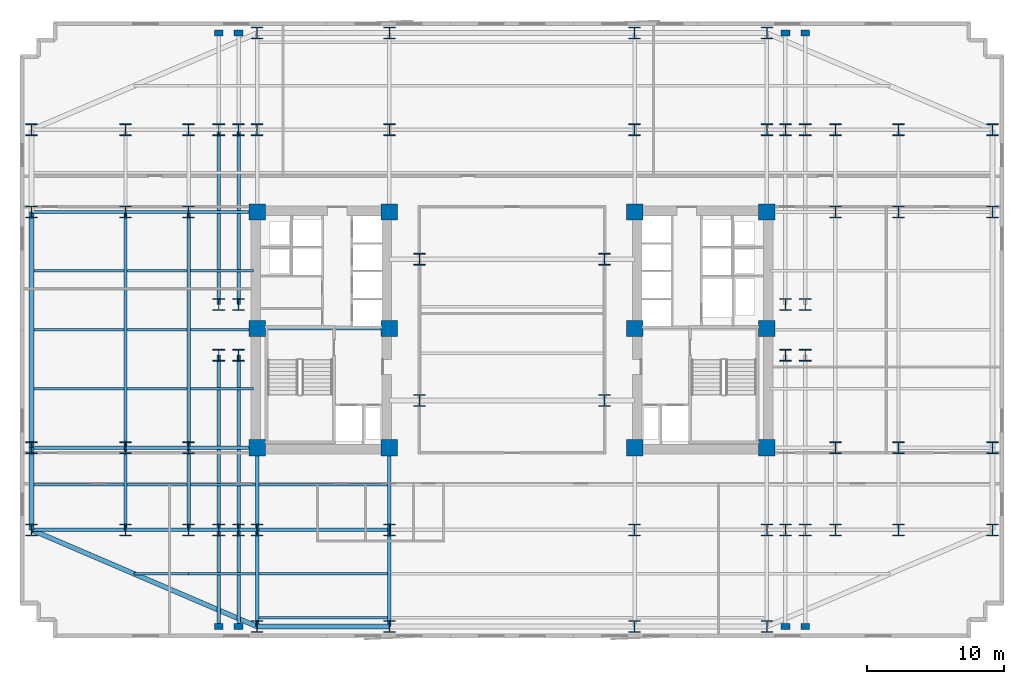
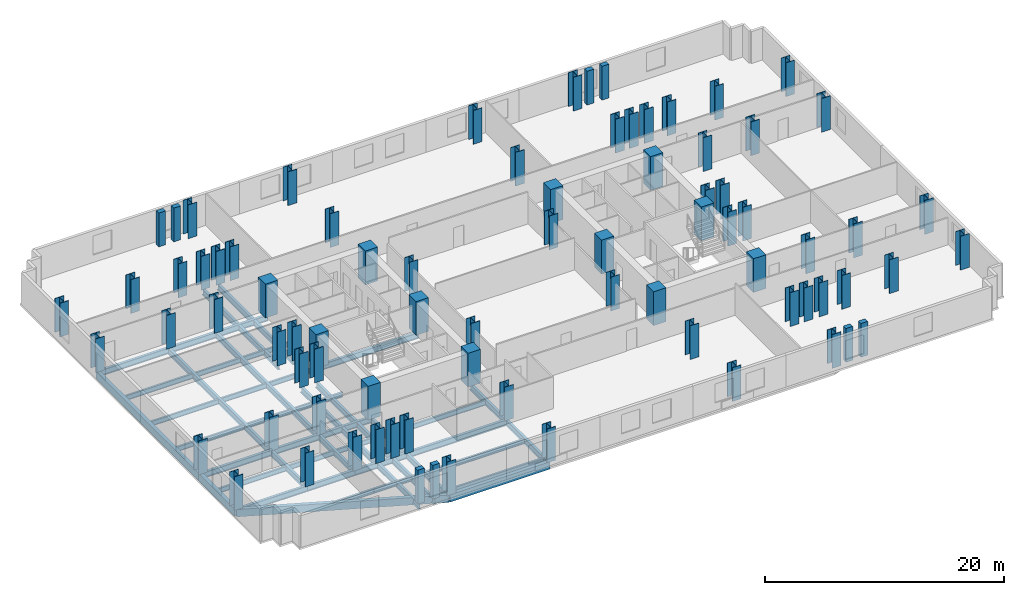
# One storey, part 1 of 10: 80 columns, 46 beams.
"""IFC4 building model written with IfcOpenShell, lengths in metres."""

from ifc_helpers import new_model, si_unit, direction, frame, origin, origin_2d, place, context, subcontext, project, spatial, rectangle, i_section, extrude, material, material_profile, profile_set, type_object, element, save


model = new_model("IFC4")

# Units and contexts
model_context = context("Model", 3, precision=1e-05, world=origin(), true_north=direction((0.0, 1.0)))
body_context = subcontext(model_context, "Body", "Model", "MODEL_VIEW")
ifc_project = project(units=[si_unit("LENGTHUNIT", "METRE"), si_unit("AREAUNIT", "SQUARE_METRE"), si_unit("VOLUMEUNIT", "CUBIC_METRE"), si_unit("PLANEANGLEUNIT", "RADIAN"), si_unit("MASSUNIT", "GRAM", prefix="KILO")], contexts=[model_context])

# Site, building, storey
site_placement = place(None, origin())
site = spatial("IfcSite", under=ifc_project, at=site_placement, CompositionType="ELEMENT")
building_placement = place(site_placement, origin())
building = spatial("IfcBuilding", under=site, at=building_placement, Name="Velakula Bourse", CompositionType="ELEMENT")
storey_placement = place(building_placement, frame((0.0, 0.0, 34.64990234375)))
storey = spatial("IfcBuildingStorey", under=building, at=storey_placement, Name="L08", CompositionType="ELEMENT", Elevation=34.64990234375)

# Columns
ifc_material_1 = material(Name="Concrete M70 (fck 70 MPa)", Category="concrete")
ifc_material_profile_1 = material_profile(ifc_material_1, rectangle(XDim=1.199951171875, YDim=1.199951171875, at=origin_2d()), Name="Concrete M70 (fck 70 MPa)")
ifc_profile_set_1 = profile_set([ifc_material_profile_1], Name="Concrete M70 (fck 70 MPa)")
column_type_1 = type_object("IfcColumnType", Name="COL-RC-1200", PredefinedType="COLUMN", material=ifc_profile_set_1)
for number, where, z_axis, x_axis, name in (
    (1, (-8.949951171875, -8.60009765625, 0.0), (0.0, 0.0, 1.0), (1.0, 0.0, 0.0), "L08 Core Boundary Column 01"),
    (2, (-8.949951171875, 0.10009765625, 0.0), (0.0, 0.0, 1.0), (1.0, 0.0, 0.0), "L08 Core Boundary Column 02"),
    (3, (-8.949951171875, 8.60009765625, 0.0), (0.0, 0.0, 1.0), (1.0, 0.0, 0.0), "L08 Core Boundary Column 03"),
    (4, (-18.60009765625, -8.60009765625, 0.0), (0.0, 0.0, 1.0), (1.0, 0.0, 0.0), "L08 Core Boundary Column 04"),
    (5, (-18.60009765625, 0.10009765625, 0.0), (0.0, 0.0, 1.0), (1.0, 0.0, 0.0), "L08 Core Boundary Column 05"),
    (6, (-18.60009765625, 8.60009765625, 0.0), (0.0, 0.0, 1.0), (1.0, 0.0, 0.0), "L08 Core Boundary Column 06"),
    (7, (8.949951171875, -8.60009765625, 0.0), (0.0, 0.0, 1.0), (1.0, 0.0, 0.0), "L08 Core Boundary Column 07"),
    (8, (8.949951171875, 0.10009765625, 0.0), (0.0, 0.0, 1.0), (1.0, 0.0, 0.0), "L08 Core Boundary Column 08"),
    (9, (8.949951171875, 8.60009765625, 0.0), (0.0, 0.0, 1.0), (1.0, 0.0, 0.0), "L08 Core Boundary Column 09"),
    (10, (18.60009765625, -8.60009765625, 0.0), (0.0, 0.0, 1.0), (1.0, 0.0, 0.0), "L08 Core Boundary Column 10"),
    (11, (18.60009765625, 0.10009765625, 0.0), (0.0, 0.0, 1.0), (1.0, 0.0, 0.0), "L08 Core Boundary Column 11"),
    (12, (18.60009765625, 8.60009765625, 0.0), (0.0, 0.0, 1.0), (1.0, 0.0, 0.0), "L08 Core Boundary Column 12"),
):
    element("IfcColumn", number, at=place(storey_placement, frame(where, z_axis=z_axis, x_axis=x_axis)), inside=storey, type_object=column_type_1, Name=name, PredefinedType="COLUMN", context=body_context, shape_type="SweptSolid", body=[
        extrude(rectangle(XDim=1.199951171875, YDim=1.199951171875, at=origin_2d()), origin(), (0.0, 0.0, 1.0), 3.4501953125),
    ])
ifc_material_2 = material(Name="Steel IS 2062 Grade 450 (E450)", Category="steel")
ifc_material_profile_2 = material_profile(ifc_material_2, i_section(OverallWidth=0.85009765625, OverallDepth=0.85009765625, WebThickness=0.031982421875, FlangeThickness=0.048095703125, at=origin_2d()), Name="Steel IS 2062 Grade 450 (E450)")
ifc_profile_set_2 = profile_set([ifc_material_profile_2], Name="Steel IS 2062 Grade 450 (E450)")
column_type_2 = type_object("IfcColumnType", Name="COL-STL-850", PredefinedType="COLUMN", material=ifc_profile_set_2)
for number, where, z_axis, x_axis, name in (
    (13, (-6.75, -5.14990234375, 0.0), (0.0, 0.0, 1.0), (1.0, 0.0, 0.0), "L08 Central Spine Column 01"),
    (14, (-6.75, 5.14990234375, 0.0), (0.0, 0.0, 1.0), (1.0, 0.0, 0.0), "L08 Central Spine Column 02"),
    (15, (6.75, -5.14990234375, 0.0), (0.0, 0.0, 1.0), (1.0, 0.0, 0.0), "L08 Central Spine Column 03"),
    (16, (6.75, 5.14990234375, 0.0), (0.0, 0.0, 1.0), (1.0, 0.0, 0.0), "L08 Central Spine Column 04"),
    (17, (-21.39990234375, -14.60009765625, 0.0), (0.0, 0.0, 1.0), (1.0, 0.0, 0.0), "L08 Tower Fulcrum Column 01"),
    (18, (-21.39990234375, 14.60009765625, 0.0), (0.0, 0.0, 1.0), (1.0, 0.0, 0.0), "L08 Tower Fulcrum Column 02"),
    (19, (-19.949951171875, -14.60009765625, 0.0), (0.0, 0.0, 1.0), (1.0, 0.0, 0.0), "L08 Tower Fulcrum Column 03"),
    (20, (-19.949951171875, 14.60009765625, 0.0), (0.0, 0.0, 1.0), (1.0, 0.0, 0.0), "L08 Tower Fulcrum Column 04"),
    (21, (-18.60009765625, -14.60009765625, 0.0), (0.0, 0.0, 1.0), (1.0, 0.0, 0.0), "L08 Tower Fulcrum Column 05"),
    (22, (-18.60009765625, 14.60009765625, 0.0), (0.0, 0.0, 1.0), (1.0, 0.0, 0.0), "L08 Tower Fulcrum Column 06"),
    (23, (-8.949951171875, -14.60009765625, 0.0), (0.0, 0.0, 1.0), (1.0, 0.0, 0.0), "L08 Tower Fulcrum Column 07"),
    (24, (-8.949951171875, 14.60009765625, 0.0), (0.0, 0.0, 1.0), (1.0, 0.0, 0.0), "L08 Tower Fulcrum Column 08"),
    (25, (8.949951171875, -14.60009765625, 0.0), (0.0, 0.0, 1.0), (1.0, 0.0, 0.0), "L08 Tower Fulcrum Column 09"),
    (26, (8.949951171875, 14.60009765625, 0.0), (0.0, 0.0, 1.0), (1.0, 0.0, 0.0), "L08 Tower Fulcrum Column 10"),
    (27, (18.60009765625, -14.60009765625, 0.0), (0.0, 0.0, 1.0), (1.0, 0.0, 0.0), "L08 Tower Fulcrum Column 11"),
    (28, (18.60009765625, 14.60009765625, 0.0), (0.0, 0.0, 1.0), (1.0, 0.0, 0.0), "L08 Tower Fulcrum Column 12"),
    (29, (19.949951171875, -14.60009765625, 0.0), (0.0, 0.0, 1.0), (1.0, 0.0, 0.0), "L08 Tower Fulcrum Column 13"),
    (30, (19.949951171875, 14.60009765625, 0.0), (0.0, 0.0, 1.0), (1.0, 0.0, 0.0), "L08 Tower Fulcrum Column 14"),
    (31, (21.39990234375, -14.60009765625, 0.0), (0.0, 0.0, 1.0), (1.0, 0.0, 0.0), "L08 Tower Fulcrum Column 15"),
    (32, (21.39990234375, 14.60009765625, 0.0), (0.0, 0.0, 1.0), (1.0, 0.0, 0.0), "L08 Tower Fulcrum Column 16"),
    (33, (-21.39990234375, -1.85009765625, 0.0), (0.0, 0.0, 1.0), (1.0, 0.0, 0.0), "L08 Tower Fulcrum Column 17"),
    (34, (-21.39990234375, 1.85009765625, 0.0), (0.0, 0.0, 1.0), (1.0, 0.0, 0.0), "L08 Tower Fulcrum Column 18"),
    (35, (-19.949951171875, -1.85009765625, 0.0), (0.0, 0.0, 1.0), (1.0, 0.0, 0.0), "L08 Tower Fulcrum Column 19"),
    (36, (-19.949951171875, 1.85009765625, 0.0), (0.0, 0.0, 1.0), (1.0, 0.0, 0.0), "L08 Tower Fulcrum Column 20"),
    (37, (19.949951171875, -1.85009765625, 0.0), (0.0, 0.0, 1.0), (1.0, 0.0, 0.0), "L08 Tower Fulcrum Column 21"),
    (38, (19.949951171875, 1.85009765625, 0.0), (0.0, 0.0, 1.0), (1.0, 0.0, 0.0), "L08 Tower Fulcrum Column 22"),
    (39, (21.39990234375, -1.85009765625, 0.0), (0.0, 0.0, 1.0), (1.0, 0.0, 0.0), "L08 Tower Fulcrum Column 23"),
    (40, (21.39990234375, 1.85009765625, 0.0), (0.0, 0.0, 1.0), (1.0, 0.0, 0.0), "L08 Tower Fulcrum Column 24"),
    (41, (-23.60009765625, -14.60009765625, 0.0), (0.0, 0.0, 1.0), (1.0, 0.0, 0.0), "L08 Mid-Wing Plumb Column 01"),
    (42, (-23.60009765625, -8.60009765625, 0.0), (0.0, 0.0, 1.0), (1.0, 0.0, 0.0), "L08 Mid-Wing Plumb Column 02"),
    (43, (-23.60009765625, 8.60009765625, 0.0), (0.0, 0.0, 1.0), (1.0, 0.0, 0.0), "L08 Mid-Wing Plumb Column 03"),
    (44, (-23.60009765625, 14.60009765625, 0.0), (0.0, 0.0, 1.0), (1.0, 0.0, 0.0), "L08 Mid-Wing Plumb Column 04"),
    (45, (23.60009765625, -14.60009765625, 0.0), (0.0, 0.0, 1.0), (1.0, 0.0, 0.0), "L08 Mid-Wing Plumb Column 05"),
    (46, (23.60009765625, -8.60009765625, 0.0), (0.0, 0.0, 1.0), (1.0, 0.0, 0.0), "L08 Mid-Wing Plumb Column 06"),
    (47, (23.60009765625, 8.60009765625, 0.0), (0.0, 0.0, 1.0), (1.0, 0.0, 0.0), "L08 Mid-Wing Plumb Column 07"),
    (48, (23.60009765625, 14.60009765625, 0.0), (0.0, 0.0, 1.0), (1.0, 0.0, 0.0), "L08 Mid-Wing Plumb Column 08"),
    (49, (-28.199951171875, -14.60009765625, 0.0), (0.0, 0.0, 1.0), (1.0, 0.0, 0.0), "L08 Lower Wing Column 01"),
    (50, (-28.199951171875, -8.60009765625, 0.0), (0.0, 0.0, 1.0), (1.0, 0.0, 0.0), "L08 Lower Wing Column 02"),
    (51, (-28.199951171875, 8.60009765625, 0.0), (0.0, 0.0, 1.0), (1.0, 0.0, 0.0), "L08 Lower Wing Column 03"),
    (52, (-28.199951171875, 14.60009765625, 0.0), (0.0, 0.0, 1.0), (1.0, 0.0, 0.0), "L08 Lower Wing Column 04"),
    (53, (28.199951171875, -14.60009765625, 0.0), (0.0, 0.0, 1.0), (1.0, 0.0, 0.0), "L08 Lower Wing Column 05"),
    (54, (28.199951171875, -8.60009765625, 0.0), (0.0, 0.0, 1.0), (1.0, 0.0, 0.0), "L08 Lower Wing Column 06"),
    (55, (28.199951171875, 8.60009765625, 0.0), (0.0, 0.0, 1.0), (1.0, 0.0, 0.0), "L08 Lower Wing Column 07"),
    (56, (28.199951171875, 14.60009765625, 0.0), (0.0, 0.0, 1.0), (1.0, 0.0, 0.0), "L08 Lower Wing Column 08"),
    (57, (-18.60009765625, -21.64990234375, 0.0), (0.0, 0.0, 1.0), (1.0, 0.0, 0.0), "L08 Block B1 Perimeter Column S1"),
    (58, (-8.949951171875, -21.64990234375, 0.0), (0.0, 0.0, 1.0), (1.0, 0.0, 0.0), "L08 Block B1 Perimeter Column S2"),
    (59, (8.949951171875, -21.64990234375, 0.0), (0.0, 0.0, 1.0), (1.0, 0.0, 0.0), "L08 Block B1 Perimeter Column S3"),
    (60, (18.60009765625, -21.64990234375, 0.0), (0.0, 0.0, 1.0), (1.0, 0.0, 0.0), "L08 Block B1 Perimeter Column S4"),
    (61, (-18.60009765625, 21.64990234375, 0.0), (0.0, 0.0, 1.0), (1.0, 0.0, 0.0), "L08 Block B1 Perimeter Column N1"),
    (62, (-8.949951171875, 21.64990234375, 0.0), (0.0, 0.0, 1.0), (1.0, 0.0, 0.0), "L08 Block B1 Perimeter Column N2"),
    (63, (8.949951171875, 21.64990234375, 0.0), (0.0, 0.0, 1.0), (1.0, 0.0, 0.0), "L08 Block B1 Perimeter Column N3"),
    (64, (18.60009765625, 21.64990234375, 0.0), (0.0, 0.0, 1.0), (1.0, 0.0, 0.0), "L08 Block B1 Perimeter Column N4"),
    (65, (-35.050048828125, -14.60009765625, 0.0), (0.0, 0.0, 1.0), (1.0, 0.0, 0.0), "L08 Block B1 Perimeter Column W1"),
    (66, (-35.050048828125, -8.60009765625, 0.0), (0.0, 0.0, 1.0), (1.0, 0.0, 0.0), "L08 Block B1 Perimeter Column W2"),
    (67, (-35.050048828125, 8.60009765625, 0.0), (0.0, 0.0, 1.0), (1.0, 0.0, 0.0), "L08 Block B1 Perimeter Column W3"),
    (68, (-35.050048828125, 14.60009765625, 0.0), (0.0, 0.0, 1.0), (1.0, 0.0, 0.0), "L08 Block B1 Perimeter Column W4"),
    (69, (35.050048828125, -14.60009765625, 0.0), (0.0, 0.0, 1.0), (1.0, 0.0, 0.0), "L08 Block B1 Perimeter Column E1"),
    (70, (35.050048828125, -8.60009765625, 0.0), (0.0, 0.0, 1.0), (1.0, 0.0, 0.0), "L08 Block B1 Perimeter Column E2"),
    (71, (35.050048828125, 8.60009765625, 0.0), (0.0, 0.0, 1.0), (1.0, 0.0, 0.0), "L08 Block B1 Perimeter Column E3"),
    (72, (35.050048828125, 14.60009765625, 0.0), (0.0, 0.0, 1.0), (1.0, 0.0, 0.0), "L08 Block B1 Perimeter Column E4"),
):
    element("IfcColumn", number, at=place(storey_placement, frame(where, z_axis=z_axis, x_axis=x_axis)), inside=storey, type_object=column_type_2, Name=name, PredefinedType="COLUMN", context=body_context, shape_type="SweptSolid", body=[
        extrude(i_section(OverallWidth=0.85009765625, OverallDepth=0.85009765625, WebThickness=0.031982421875, FlangeThickness=0.048095703125, at=origin_2d()), origin(), (0.0, 0.0, 1.0), 3.4501953125),
    ])
ifc_material_3 = material(Name="Precast concrete M45 (fck 45 MPa)", Category="concrete")
ifc_material_profile_3 = material_profile(ifc_material_3, rectangle(XDim=0.64990234375, YDim=0.449951171875, at=origin_2d()), Name="Precast concrete M45 (fck 45 MPa)")
ifc_profile_set_3 = profile_set([ifc_material_profile_3], Name="Precast concrete M45 (fck 45 MPa)")
column_type_3 = type_object("IfcColumnType", Name="PIL-BRICK-650", PredefinedType="PILASTER", material=ifc_profile_set_3)
for number, where, z_axis, x_axis, name in (
    (73, (-21.39990234375, -21.64990234375, 0.0), (0.0, 0.0, 1.0), (1.0, 0.0, 0.0), "L08 Brick Pier Pilaster 01"),
    (74, (-19.949951171875, -21.64990234375, 0.0), (0.0, 0.0, 1.0), (1.0, 0.0, 0.0), "L08 Brick Pier Pilaster 02"),
    (75, (19.949951171875, -21.64990234375, 0.0), (0.0, 0.0, 1.0), (1.0, 0.0, 0.0), "L08 Brick Pier Pilaster 03"),
    (76, (21.39990234375, -21.64990234375, 0.0), (0.0, 0.0, 1.0), (1.0, 0.0, 0.0), "L08 Brick Pier Pilaster 04"),
    (77, (-21.39990234375, 21.64990234375, 0.0), (0.0, 0.0, 1.0), (1.0, 0.0, 0.0), "L08 Brick Pier Pilaster 05"),
    (78, (-19.949951171875, 21.64990234375, 0.0), (0.0, 0.0, 1.0), (1.0, 0.0, 0.0), "L08 Brick Pier Pilaster 06"),
    (79, (19.949951171875, 21.64990234375, 0.0), (0.0, 0.0, 1.0), (1.0, 0.0, 0.0), "L08 Brick Pier Pilaster 07"),
    (80, (21.39990234375, 21.64990234375, 0.0), (0.0, 0.0, 1.0), (1.0, 0.0, 0.0), "L08 Brick Pier Pilaster 08"),
):
    element("IfcColumn", number, at=place(storey_placement, frame(where, z_axis=z_axis, x_axis=x_axis)), inside=storey, type_object=column_type_3, Name=name, PredefinedType="PILASTER", context=body_context, shape_type="SweptSolid", body=[
        extrude(rectangle(XDim=0.64990234375, YDim=0.449951171875, at=origin_2d()), origin(), (0.0, 0.0, 1.0), 3.4501953125),
    ])

# Beams
ifc_material_4 = material(Name="Steel IS 2062 Grade 350 (E350)", Category="steel")
ifc_material_profile_4 = material_profile(ifc_material_4, i_section(OverallWidth=0.25, OverallDepth=0.60009765625, WebThickness=0.01171875, FlangeThickness=0.023681640625, at=origin_2d()), Name="Steel IS 2062 Grade 350 (E350)")
ifc_profile_set_4 = profile_set([ifc_material_profile_4], Name="Steel IS 2062 Grade 350 (E350)")
beam_type_1 = type_object("IfcBeamType", Name="BM-GRD-600H", PredefinedType="BEAM", material=ifc_profile_set_4)
beam_1_placement = place(storey_placement, frame((-18.60009765625, 0.10009765625, -0.47998046875), z_axis=(1.0, 0.0, 0.0), x_axis=(0.0, 1.0, 0.0)))
element("IfcBeam", 81, at=beam_1_placement, inside=storey, type_object=beam_type_1, Name="L08 Primary Backbone Girder CRW-M", PredefinedType="BEAM", context=body_context, shape_type="SweptSolid", body=[
    extrude(i_section(OverallWidth=0.25, OverallDepth=0.60009765625, WebThickness=0.01171875, FlangeThickness=0.023681640625, at=origin_2d()), origin(), (0.0, 0.0, 1.0), 9.650146484375),
])
for number, where, z_axis, x_axis, name in (
    (82, (-18.60009765625, -14.60009765625, -0.47998046875), (0.0, 1.0, 0.0), (-1.0, 0.0, 0.0), "L08 Fulcrum Grid Girder FLC-WS"),
    (83, (-8.949951171875, -14.60009765625, -0.47998046875), (0.0, 1.0, 0.0), (-1.0, 0.0, 0.0), "L08 Fulcrum Grid Girder FLC-WCS"),
):
    element("IfcBeam", number, at=place(storey_placement, frame(where, z_axis=z_axis, x_axis=x_axis)), inside=storey, type_object=beam_type_1, Name=name, PredefinedType="BEAM", context=body_context, shape_type="SweptSolid", body=[
        extrude(i_section(OverallWidth=0.25, OverallDepth=0.60009765625, WebThickness=0.01171875, FlangeThickness=0.023681640625, at=origin_2d()), origin(), (0.0, 0.0, 1.0), 6.0),
    ])
beam_2_placement = place(storey_placement, frame((-18.60009765625, -14.60009765625, -0.47998046875), z_axis=(1.0, 0.0, 0.0), x_axis=(0.0, 1.0, 0.0)))
element("IfcBeam", 84, at=beam_2_placement, inside=storey, type_object=beam_type_1, Name="L08 Fulcrum Grid Girder FLC-S1", PredefinedType="BEAM", context=body_context, shape_type="SweptSolid", body=[
    extrude(i_section(OverallWidth=0.25, OverallDepth=0.60009765625, WebThickness=0.01171875, FlangeThickness=0.023681640625, at=origin_2d()), origin(), (0.0, 0.0, 1.0), 9.650146484375),
])
for number, where, z_axis, x_axis, name in (
    (85, (-21.39990234375, -14.60009765625, -0.47998046875), (0.0, 1.0, 0.0), (-1.0, 0.0, 0.0), "L08 Fulcrum Grid Girder FLC-PSW1"),
    (86, (-21.39990234375, 1.85009765625, -0.47998046875), (0.0, 1.0, 0.0), (-1.0, 0.0, 0.0), "L08 Fulcrum Grid Girder FLC-PNW1"),
    (87, (-19.949951171875, -14.60009765625, -0.47998046875), (0.0, 1.0, 0.0), (-1.0, 0.0, 0.0), "L08 Fulcrum Grid Girder FLC-PSW2"),
    (88, (-19.949951171875, 1.85009765625, -0.47998046875), (0.0, 1.0, 0.0), (-1.0, 0.0, 0.0), "L08 Fulcrum Grid Girder FLC-PNW2"),
):
    element("IfcBeam", number, at=place(storey_placement, frame(where, z_axis=z_axis, x_axis=x_axis)), inside=storey, type_object=beam_type_1, Name=name, PredefinedType="BEAM", context=body_context, shape_type="SweptSolid", body=[
        extrude(i_section(OverallWidth=0.25, OverallDepth=0.60009765625, WebThickness=0.01171875, FlangeThickness=0.023681640625, at=origin_2d()), origin(), (0.0, 0.0, 1.0), 12.75),
    ])
for number, where, z_axis, x_axis, name in (
    (89, (-23.60009765625, -14.60009765625, -0.47998046875), (1.0, 0.0, 0.0), (0.0, 1.0, 0.0), "L08 Fulcrum Grid Girder MWG-WS1"),
    (90, (-23.60009765625, -8.60009765625, -0.47998046875), (1.0, 0.0, 0.0), (0.0, 1.0, 0.0), "L08 Fulcrum Grid Girder MWG-WS2"),
    (91, (-23.60009765625, 8.60009765625, -0.47998046875), (1.0, 0.0, 0.0), (0.0, 1.0, 0.0), "L08 Fulcrum Grid Girder MWG-WN1"),
):
    element("IfcBeam", number, at=place(storey_placement, frame(where, z_axis=z_axis, x_axis=x_axis)), inside=storey, type_object=beam_type_1, Name=name, PredefinedType="BEAM", context=body_context, shape_type="SweptSolid", body=[
        extrude(i_section(OverallWidth=0.25, OverallDepth=0.60009765625, WebThickness=0.01171875, FlangeThickness=0.023681640625, at=origin_2d()), origin(), (0.0, 0.0, 1.0), 5.0),
    ])
beam_3_placement = place(storey_placement, frame((-23.60009765625, -14.60009765625, -0.47998046875), z_axis=(0.0, 1.0, 0.0), x_axis=(-1.0, 0.0, 0.0)))
element("IfcBeam", 92, at=beam_3_placement, inside=storey, type_object=beam_type_1, Name="L08 Fulcrum Grid Girder MWG-WNS1", PredefinedType="BEAM", context=body_context, shape_type="SweptSolid", body=[
    extrude(i_section(OverallWidth=0.25, OverallDepth=0.60009765625, WebThickness=0.01171875, FlangeThickness=0.023681640625, at=origin_2d()), origin(), (0.0, 0.0, 1.0), 6.0),
])
beam_4_placement = place(storey_placement, frame((-23.60009765625, -8.60009765625, -0.47998046875), z_axis=(0.0, 1.0, 0.0), x_axis=(-1.0, 0.0, 0.0)))
element("IfcBeam", 93, at=beam_4_placement, inside=storey, type_object=beam_type_1, Name="L08 Fulcrum Grid Girder MWG-WNS2", PredefinedType="BEAM", context=body_context, shape_type="SweptSolid", body=[
    extrude(i_section(OverallWidth=0.25, OverallDepth=0.60009765625, WebThickness=0.01171875, FlangeThickness=0.023681640625, at=origin_2d()), origin(), (0.0, 0.0, 1.0), 17.2001953125),
])
for number, where, z_axis, x_axis, name in (
    (94, (-28.199951171875, -14.60009765625, -0.47998046875), (1.0, 0.0, 0.0), (0.0, 1.0, 0.0), "L08 Fulcrum Grid Girder WNG-WS1"),
    (95, (-28.199951171875, -8.60009765625, -0.47998046875), (1.0, 0.0, 0.0), (0.0, 1.0, 0.0), "L08 Fulcrum Grid Girder WNG-WS2"),
    (96, (-28.199951171875, 8.60009765625, -0.47998046875), (1.0, 0.0, 0.0), (0.0, 1.0, 0.0), "L08 Fulcrum Grid Girder WNG-WN1"),
):
    element("IfcBeam", number, at=place(storey_placement, frame(where, z_axis=z_axis, x_axis=x_axis)), inside=storey, type_object=beam_type_1, Name=name, PredefinedType="BEAM", context=body_context, shape_type="SweptSolid", body=[
        extrude(i_section(OverallWidth=0.25, OverallDepth=0.60009765625, WebThickness=0.01171875, FlangeThickness=0.023681640625, at=origin_2d()), origin(), (0.0, 0.0, 1.0), 4.599853515625),
    ])
beam_5_placement = place(storey_placement, frame((-28.199951171875, -14.60009765625, -0.47998046875), z_axis=(0.0, 1.0, 0.0), x_axis=(-1.0, 0.0, 0.0)))
element("IfcBeam", 97, at=beam_5_placement, inside=storey, type_object=beam_type_1, Name="L08 Fulcrum Grid Girder WNG-WNS1", PredefinedType="BEAM", context=body_context, shape_type="SweptSolid", body=[
    extrude(i_section(OverallWidth=0.25, OverallDepth=0.60009765625, WebThickness=0.01171875, FlangeThickness=0.023681640625, at=origin_2d()), origin(), (0.0, 0.0, 1.0), 6.0),
])
beam_6_placement = place(storey_placement, frame((-28.199951171875, -8.60009765625, -0.47998046875), z_axis=(0.0, 1.0, 0.0), x_axis=(-1.0, 0.0, 0.0)))
element("IfcBeam", 98, at=beam_6_placement, inside=storey, type_object=beam_type_1, Name="L08 Fulcrum Grid Girder WNG-WNS2", PredefinedType="BEAM", context=body_context, shape_type="SweptSolid", body=[
    extrude(i_section(OverallWidth=0.25, OverallDepth=0.60009765625, WebThickness=0.01171875, FlangeThickness=0.023681640625, at=origin_2d()), origin(), (0.0, 0.0, 1.0), 17.2001953125),
])
for number, where, z_axis, x_axis, name in (
    (99, (-18.60009765625, -14.60009765625, -0.47998046875), (0.0, -1.0, 0.0), (1.0, 0.0, 0.0), "L08 Perimeter Tie Girder S1"),
    (100, (-8.949951171875, -14.60009765625, -0.47998046875), (0.0, -1.0, 0.0), (1.0, 0.0, 0.0), "L08 Perimeter Tie Girder S2"),
):
    element("IfcBeam", number, at=place(storey_placement, frame(where, z_axis=z_axis, x_axis=x_axis)), inside=storey, type_object=beam_type_1, Name=name, PredefinedType="BEAM", context=body_context, shape_type="SweptSolid", body=[
        extrude(i_section(OverallWidth=0.25, OverallDepth=0.60009765625, WebThickness=0.01171875, FlangeThickness=0.023681640625, at=origin_2d()), origin(), (0.0, 0.0, 1.0), 7.0498046875),
    ])
for number, where, z_axis, x_axis, name in (
    (101, (-28.199951171875, -14.60009765625, -0.47998046875), (-1.0, 0.0, 0.0), (0.0, -1.0, 0.0), "L08 Perimeter Tie Girder W1"),
    (102, (-28.199951171875, -8.60009765625, -0.47998046875), (-1.0, 0.0, 0.0), (0.0, -1.0, 0.0), "L08 Perimeter Tie Girder W2"),
    (103, (-28.199951171875, 8.60009765625, -0.47998046875), (-1.0, 0.0, 0.0), (0.0, -1.0, 0.0), "L08 Perimeter Tie Girder W3"),
):
    element("IfcBeam", number, at=place(storey_placement, frame(where, z_axis=z_axis, x_axis=x_axis)), inside=storey, type_object=beam_type_1, Name=name, PredefinedType="BEAM", context=body_context, shape_type="SweptSolid", body=[
        extrude(i_section(OverallWidth=0.25, OverallDepth=0.60009765625, WebThickness=0.01171875, FlangeThickness=0.023681640625, at=origin_2d()), origin(), (0.0, 0.0, 1.0), 6.85009765625),
    ])
for number, where, z_axis, x_axis, name in (
    (104, (-21.39990234375, -14.60009765625, -0.47998046875), (0.0, -1.0, 0.0), (1.0, 0.0, 0.0), "L08 Perimeter Tie Girder P01"),
    (105, (-19.949951171875, -14.60009765625, -0.47998046875), (0.0, -1.0, 0.0), (1.0, 0.0, 0.0), "L08 Perimeter Tie Girder P02"),
):
    element("IfcBeam", number, at=place(storey_placement, frame(where, z_axis=z_axis, x_axis=x_axis)), inside=storey, type_object=beam_type_1, Name=name, PredefinedType="BEAM", context=body_context, shape_type="SweptSolid", body=[
        extrude(i_section(OverallWidth=0.25, OverallDepth=0.60009765625, WebThickness=0.01171875, FlangeThickness=0.023681640625, at=origin_2d()), origin(), (0.0, 0.0, 1.0), 7.0498046875),
    ])
ifc_material_profile_5 = material_profile(ifc_material_4, i_section(OverallWidth=0.179931640625, OverallDepth=0.5, WebThickness=0.01025390625, FlangeThickness=0.01708984375, at=origin_2d()), Name="Steel IS 2062 Grade 350 (E350)")
ifc_profile_set_5 = profile_set([ifc_material_profile_5], Name="Steel IS 2062 Grade 350 (E350)")
beam_type_2 = type_object("IfcBeamType", Name="JST-TWR-500", PredefinedType="JOIST", material=ifc_profile_set_5)
beam_7_placement = place(storey_placement, frame((-18.47509765625, -21.0, -0.429931640625), z_axis=(1.0, 0.0, 0.0), x_axis=(0.0, 1.0, 0.0)))
element("IfcBeam", 106, at=beam_7_placement, inside=storey, type_object=beam_type_2, Name="L08 Trading Floor Composite Joist 01", PredefinedType="JOIST", context=body_context, shape_type="SweptSolid", body=[
    extrude(i_section(OverallWidth=0.179931640625, OverallDepth=0.5, WebThickness=0.01025390625, FlangeThickness=0.01708984375, at=origin_2d()), origin(), (0.0, 0.0, 1.0), 9.400146484375),
])
beam_8_placement = place(storey_placement, frame((-27.583251953125, -17.800048828125, -0.429931640625), z_axis=(1.0, 0.0, 0.0), x_axis=(0.0, 1.0, 0.0)))
element("IfcBeam", 107, at=beam_8_placement, inside=storey, type_object=beam_type_2, Name="L08 Trading Floor Composite Joist 04", PredefinedType="JOIST", context=body_context, shape_type="SweptSolid", body=[
    extrude(i_section(OverallWidth=0.179931640625, OverallDepth=0.5, WebThickness=0.01025390625, FlangeThickness=0.01708984375, at=origin_2d()), origin(), (0.0, 0.0, 1.0), 3.983154296875),
])
beam_9_placement = place(storey_placement, frame((-23.60009765625, -17.800048828125, -0.429931640625), z_axis=(1.0, 0.0, 0.0), x_axis=(0.0, 1.0, 0.0)))
element("IfcBeam", 108, at=beam_9_placement, inside=storey, type_object=beam_type_2, Name="L08 Trading Floor Composite Joist 05", PredefinedType="JOIST", context=body_context, shape_type="SweptSolid", body=[
    extrude(i_section(OverallWidth=0.179931640625, OverallDepth=0.5, WebThickness=0.01025390625, FlangeThickness=0.01708984375, at=origin_2d()), origin(), (0.0, 0.0, 1.0), 4.875),
])
beam_10_placement = place(storey_placement, frame((-18.47509765625, -17.800048828125, -0.429931640625), z_axis=(1.0, 0.0, 0.0), x_axis=(0.0, 1.0, 0.0)))
element("IfcBeam", 109, at=beam_10_placement, inside=storey, type_object=beam_type_2, Name="L08 Trading Floor Composite Joist 06", PredefinedType="JOIST", context=body_context, shape_type="SweptSolid", body=[
    extrude(i_section(OverallWidth=0.179931640625, OverallDepth=0.5, WebThickness=0.01025390625, FlangeThickness=0.01708984375, at=origin_2d()), origin(), (0.0, 0.0, 1.0), 9.400146484375),
])
beam_11_placement = place(storey_placement, frame((-34.875, -11.300048828125, -0.429931640625), z_axis=(1.0, 0.0, 0.0), x_axis=(0.0, 1.0, 0.0)))
element("IfcBeam", 110, at=beam_11_placement, inside=storey, type_object=beam_type_2, Name="L08 Trading Floor Composite Joist 11", PredefinedType="JOIST", context=body_context, shape_type="SweptSolid", body=[
    extrude(i_section(OverallWidth=0.179931640625, OverallDepth=0.5, WebThickness=0.01025390625, FlangeThickness=0.01708984375, at=origin_2d()), origin(), (0.0, 0.0, 1.0), 6.550048828125),
])
beam_12_placement = place(storey_placement, frame((-28.074951171875, -11.300048828125, -0.429931640625), z_axis=(1.0, 0.0, 0.0), x_axis=(0.0, 1.0, 0.0)))
element("IfcBeam", 111, at=beam_12_placement, inside=storey, type_object=beam_type_2, Name="L08 Trading Floor Composite Joist 12", PredefinedType="JOIST", context=body_context, shape_type="SweptSolid", body=[
    extrude(i_section(OverallWidth=0.179931640625, OverallDepth=0.5, WebThickness=0.01025390625, FlangeThickness=0.01708984375, at=origin_2d()), origin(), (0.0, 0.0, 1.0), 4.349853515625),
])
beam_13_placement = place(storey_placement, frame((-23.47509765625, -11.300048828125, -0.429931640625), z_axis=(1.0, 0.0, 0.0), x_axis=(0.0, 1.0, 0.0)))
element("IfcBeam", 112, at=beam_13_placement, inside=storey, type_object=beam_type_2, Name="L08 Trading Floor Composite Joist 13", PredefinedType="JOIST", context=body_context, shape_type="SweptSolid", body=[
    extrude(i_section(OverallWidth=0.179931640625, OverallDepth=0.5, WebThickness=0.01025390625, FlangeThickness=0.01708984375, at=origin_2d()), origin(), (0.0, 0.0, 1.0), 4.75),
])
beam_14_placement = place(storey_placement, frame((-18.47509765625, -11.300048828125, -0.429931640625), z_axis=(1.0, 0.0, 0.0), x_axis=(0.0, 1.0, 0.0)))
element("IfcBeam", 113, at=beam_14_placement, inside=storey, type_object=beam_type_2, Name="L08 Trading Floor Composite Joist 14", PredefinedType="JOIST", context=body_context, shape_type="SweptSolid", body=[
    extrude(i_section(OverallWidth=0.179931640625, OverallDepth=0.5, WebThickness=0.01025390625, FlangeThickness=0.01708984375, at=origin_2d()), origin(), (0.0, 0.0, 1.0), 9.400146484375),
])
beam_15_placement = place(storey_placement, frame((-34.875, -4.300048828125, -0.429931640625), z_axis=(1.0, 0.0, 0.0), x_axis=(0.0, 1.0, 0.0)))
element("IfcBeam", 114, at=beam_15_placement, inside=storey, type_object=beam_type_2, Name="L08 Trading Floor Composite Joist 41", PredefinedType="JOIST", context=body_context, shape_type="SweptSolid", body=[
    extrude(i_section(OverallWidth=0.179931640625, OverallDepth=0.5, WebThickness=0.01025390625, FlangeThickness=0.01708984375, at=origin_2d()), origin(), (0.0, 0.0, 1.0), 6.550048828125),
])
beam_16_placement = place(storey_placement, frame((-28.074951171875, -4.300048828125, -0.429931640625), z_axis=(1.0, 0.0, 0.0), x_axis=(0.0, 1.0, 0.0)))
element("IfcBeam", 115, at=beam_16_placement, inside=storey, type_object=beam_type_2, Name="L08 Trading Floor Composite Joist 42", PredefinedType="JOIST", context=body_context, shape_type="SweptSolid", body=[
    extrude(i_section(OverallWidth=0.179931640625, OverallDepth=0.5, WebThickness=0.01025390625, FlangeThickness=0.01708984375, at=origin_2d()), origin(), (0.0, 0.0, 1.0), 4.349853515625),
])
beam_17_placement = place(storey_placement, frame((-23.47509765625, -4.300048828125, -0.429931640625), z_axis=(1.0, 0.0, 0.0), x_axis=(0.0, 1.0, 0.0)))
element("IfcBeam", 116, at=beam_17_placement, inside=storey, type_object=beam_type_2, Name="L08 Trading Floor Composite Joist 43", PredefinedType="JOIST", context=body_context, shape_type="SweptSolid", body=[
    extrude(i_section(OverallWidth=0.179931640625, OverallDepth=0.5, WebThickness=0.01025390625, FlangeThickness=0.01708984375, at=origin_2d()), origin(), (0.0, 0.0, 1.0), 4.625),
])
beam_18_placement = place(storey_placement, frame((-34.875, 0.0, -0.429931640625), z_axis=(1.0, 0.0, 0.0), x_axis=(0.0, 1.0, 0.0)))
element("IfcBeam", 117, at=beam_18_placement, inside=storey, type_object=beam_type_2, Name="L08 Trading Floor Composite Joist 47", PredefinedType="JOIST", context=body_context, shape_type="SweptSolid", body=[
    extrude(i_section(OverallWidth=0.179931640625, OverallDepth=0.5, WebThickness=0.01025390625, FlangeThickness=0.01708984375, at=origin_2d()), origin(), (0.0, 0.0, 1.0), 6.550048828125),
])
beam_19_placement = place(storey_placement, frame((-28.074951171875, 0.0, -0.429931640625), z_axis=(1.0, 0.0, 0.0), x_axis=(0.0, 1.0, 0.0)))
element("IfcBeam", 118, at=beam_19_placement, inside=storey, type_object=beam_type_2, Name="L08 Trading Floor Composite Joist 48", PredefinedType="JOIST", context=body_context, shape_type="SweptSolid", body=[
    extrude(i_section(OverallWidth=0.179931640625, OverallDepth=0.5, WebThickness=0.01025390625, FlangeThickness=0.01708984375, at=origin_2d()), origin(), (0.0, 0.0, 1.0), 4.349853515625),
])
beam_20_placement = place(storey_placement, frame((-23.47509765625, 0.0, -0.429931640625), z_axis=(1.0, 0.0, 0.0), x_axis=(0.0, 1.0, 0.0)))
element("IfcBeam", 119, at=beam_20_placement, inside=storey, type_object=beam_type_2, Name="L08 Trading Floor Composite Joist 49", PredefinedType="JOIST", context=body_context, shape_type="SweptSolid", body=[
    extrude(i_section(OverallWidth=0.179931640625, OverallDepth=0.5, WebThickness=0.01025390625, FlangeThickness=0.01708984375, at=origin_2d()), origin(), (0.0, 0.0, 1.0), 4.625),
])
beam_21_placement = place(storey_placement, frame((-34.875, 4.300048828125, -0.429931640625), z_axis=(1.0, 0.0, 0.0), x_axis=(0.0, 1.0, 0.0)))
element("IfcBeam", 120, at=beam_21_placement, inside=storey, type_object=beam_type_2, Name="L08 Trading Floor Composite Joist 53", PredefinedType="JOIST", context=body_context, shape_type="SweptSolid", body=[
    extrude(i_section(OverallWidth=0.179931640625, OverallDepth=0.5, WebThickness=0.01025390625, FlangeThickness=0.01708984375, at=origin_2d()), origin(), (0.0, 0.0, 1.0), 6.550048828125),
])
beam_22_placement = place(storey_placement, frame((-28.074951171875, 4.300048828125, -0.429931640625), z_axis=(1.0, 0.0, 0.0), x_axis=(0.0, 1.0, 0.0)))
element("IfcBeam", 121, at=beam_22_placement, inside=storey, type_object=beam_type_2, Name="L08 Trading Floor Composite Joist 54", PredefinedType="JOIST", context=body_context, shape_type="SweptSolid", body=[
    extrude(i_section(OverallWidth=0.179931640625, OverallDepth=0.5, WebThickness=0.01025390625, FlangeThickness=0.01708984375, at=origin_2d()), origin(), (0.0, 0.0, 1.0), 4.349853515625),
])
beam_23_placement = place(storey_placement, frame((-23.47509765625, 4.300048828125, -0.429931640625), z_axis=(1.0, 0.0, 0.0), x_axis=(0.0, 1.0, 0.0)))
element("IfcBeam", 122, at=beam_23_placement, inside=storey, type_object=beam_type_2, Name="L08 Trading Floor Composite Joist 55", PredefinedType="JOIST", context=body_context, shape_type="SweptSolid", body=[
    extrude(i_section(OverallWidth=0.179931640625, OverallDepth=0.5, WebThickness=0.01025390625, FlangeThickness=0.01708984375, at=origin_2d()), origin(), (0.0, 0.0, 1.0), 4.625),
])
ifc_material_profile_6 = material_profile(ifc_material_3, rectangle(XDim=0.35009765625, YDim=0.75, at=origin_2d()), Name="Precast concrete M45 (fck 45 MPa)")
ifc_profile_set_6 = profile_set([ifc_material_profile_6], Name="Precast concrete M45 (fck 45 MPa)")
beam_type_3 = type_object("IfcBeamType", Name="SPN-BRICK-750", PredefinedType="SPANDREL", material=ifc_profile_set_6)
beam_24_placement = place(storey_placement, frame((-18.60009765625, -21.64990234375, -0.554931640625), z_axis=(1.0, 0.0, 0.0), x_axis=(0.0, 1.0, 0.0)))
element("IfcBeam", 123, at=beam_24_placement, inside=storey, type_object=beam_type_3, Name="L08 Brick-Faced Precast Spandrel S1-S2", PredefinedType="SPANDREL", context=body_context, shape_type="SweptSolid", body=[
    extrude(rectangle(XDim=0.35009765625, YDim=0.75, at=origin_2d()), origin(), (0.0, 0.0, 1.0), 9.650146484375),
])
beam_25_placement = place(storey_placement, frame((-35.050048828125, -14.60009765625, -0.554931640625), z_axis=(0.0, 1.0, 0.0), x_axis=(-1.0, 0.0, 0.0)))
element("IfcBeam", 124, at=beam_25_placement, inside=storey, type_object=beam_type_3, Name="L08 Brick-Faced Precast Spandrel W1-W2", PredefinedType="SPANDREL", context=body_context, shape_type="SweptSolid", body=[
    extrude(rectangle(XDim=0.35009765625, YDim=0.75, at=origin_2d()), origin(), (0.0, 0.0, 1.0), 6.0),
])
beam_26_placement = place(storey_placement, frame((-35.050048828125, -8.60009765625, -0.554931640625), z_axis=(0.0, 1.0, 0.0), x_axis=(-1.0, 0.0, 0.0)))
element("IfcBeam", 125, at=beam_26_placement, inside=storey, type_object=beam_type_3, Name="L08 Brick-Faced Precast Spandrel W2-W3", PredefinedType="SPANDREL", context=body_context, shape_type="SweptSolid", body=[
    extrude(rectangle(XDim=0.35009765625, YDim=0.75, at=origin_2d()), origin(), (0.0, 0.0, 1.0), 17.2001953125),
])
beam_27_placement = place(storey_placement, frame((-35.050048828125, -14.60009765625, -0.554931640625), z_axis=(0.919148557947, -0.393911066642, 0.0), x_axis=(0.393911066642, 0.919148557947, 0.0)))
element("IfcBeam", 126, at=beam_27_placement, inside=storey, type_object=beam_type_3, Name="L08 Brick-Faced Precast Spandrel W1-S1", PredefinedType="SPANDREL", context=body_context, shape_type="SweptSolid", body=[
    extrude(rectangle(XDim=0.35009765625, YDim=0.75, at=origin_2d()), origin(), (0.0, 0.0, 1.0), 17.89697265625),
])

save(model, "model.ifc")
